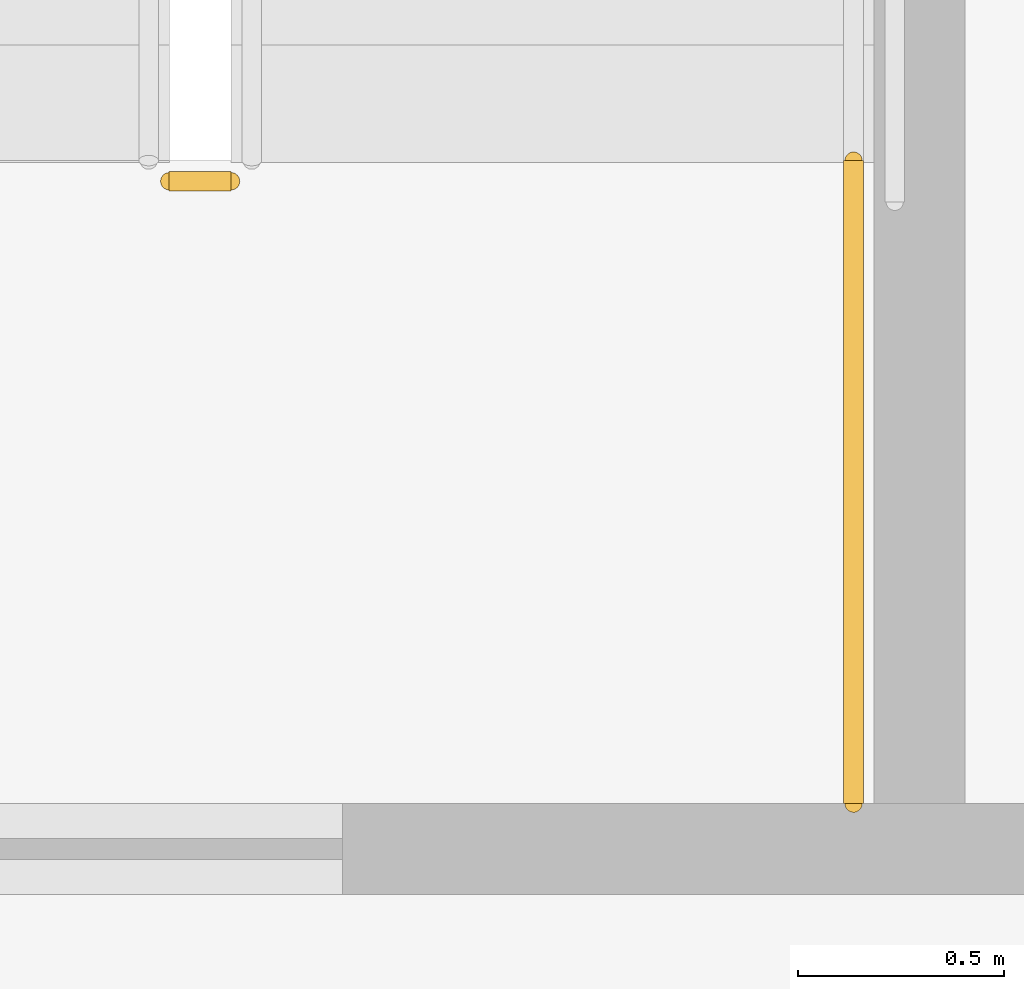
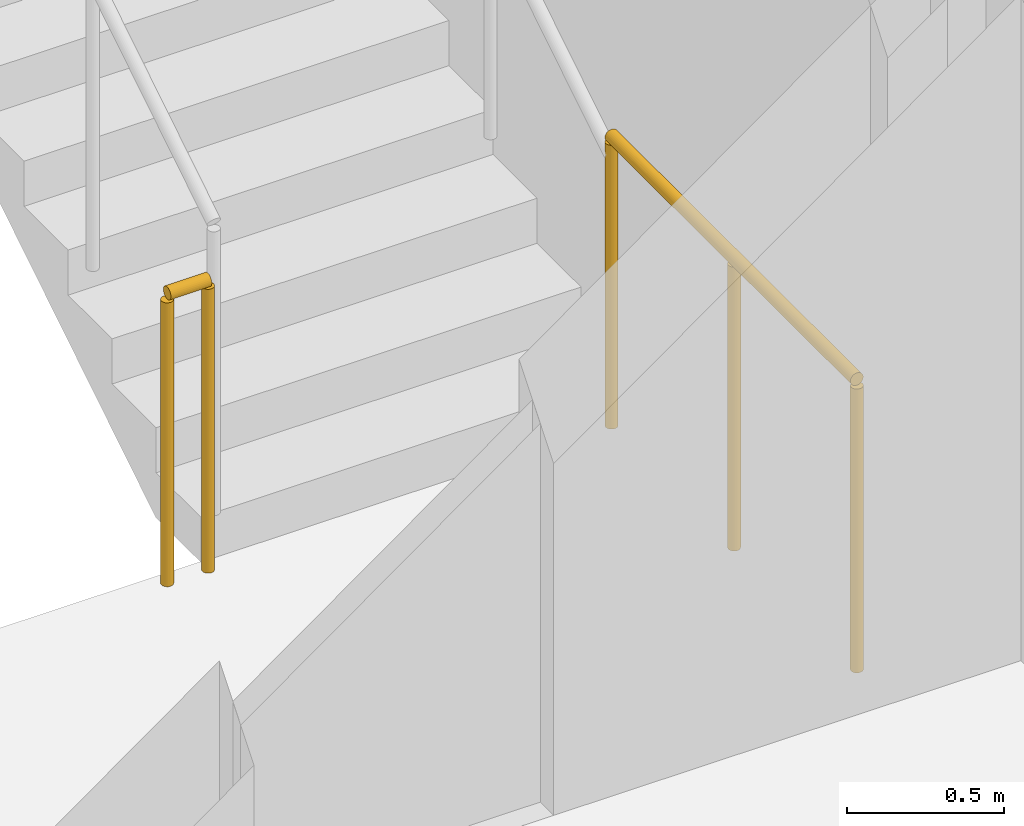
# One storey, part 12 of 15: 2 railings.
"""IFC4 building model written with IfcOpenShell, lengths in metres."""

from ifc_helpers import new_model, si_unit, direction, frame, origin, origin_2d, place, context, subcontext, project, spatial, circle, extrude, material, type_object, element, save


model = new_model("IFC4")

# Units and contexts
model_context = context("Model", 3, precision=1e-05, world=origin(), true_north=direction((0.0, 1.0)))
body_context = subcontext(model_context, "Body", "Model", "MODEL_VIEW")
ifc_project = project(units=[si_unit("LENGTHUNIT", "METRE"), si_unit("AREAUNIT", "SQUARE_METRE"), si_unit("VOLUMEUNIT", "CUBIC_METRE"), si_unit("PLANEANGLEUNIT", "RADIAN"), si_unit("MASSUNIT", "GRAM", prefix="KILO")], contexts=[model_context])

# Site, building, storey
site_placement = place(None, origin())
site = spatial("IfcSite", under=ifc_project, at=site_placement, CompositionType="ELEMENT")
building_placement = place(site_placement, origin())
building = spatial("IfcBuilding", under=site, at=building_placement, Name="Khairoan Windgate Tower", CompositionType="ELEMENT")
storey_placement = place(building_placement, frame((0.0, 0.0, 110.0)))
storey = spatial("IfcBuildingStorey", under=building, at=storey_placement, Name="L25", CompositionType="ELEMENT", Elevation=110.0)

# Railings
ifc_material = material(Name="Steel S355", Category="steel")
railing_type = type_object("IfcRailingType", Name="Stairwell Safety Guardrail SGR-1150", PredefinedType="GUARDRAIL", material=ifc_material)
railing_1_placement = place(storey_placement, frame((-17.7099609375, 2.909912109375, 0.0)))
element("IfcRailing", 1, at=railing_1_placement, inside=storey, type_object=railing_type, Name="L25 ST2 stair guard 7", PredefinedType="GUARDRAIL", context=body_context, shape_type="SweptSolid", body=[
    extrude(circle(Radius=0.02392578125, at=origin_2d()), frame((0.0, 0.0, 1.1259765625), z_axis=(-1.0, 0.0, 0.0), x_axis=(0.0, -1.0, 0.0)), (0.0, 0.0, 1.0), 0.150146484375),
    extrude(circle(Radius=0.02099609375, at=origin_2d()), origin(), (0.0, 0.0, 1.0), 1.101806640625),
    extrude(circle(Radius=0.02099609375, at=origin_2d()), frame((-0.150146484375, 0.0, 0.0)), (0.0, 0.0, 1.0), 1.101806640625),
])
railing_2_placement = place(storey_placement, frame((-16.199951171875, 1.39990234375, 0.0)))
element("IfcRailing", 2, at=railing_2_placement, inside=storey, type_object=railing_type, Name="L25 ST2 stair guard 8", PredefinedType="GUARDRAIL", context=body_context, shape_type="SweptSolid", body=[
    extrude(circle(Radius=0.02392578125, at=origin_2d()), frame((0.0, 0.0, 1.1259765625), z_axis=(0.0, 1.0, 0.0), x_axis=(-1.0, 0.0, 0.0)), (0.0, 0.0, 1.0), 1.56005859375),
    extrude(circle(Radius=0.02099609375, at=origin_2d()), origin(), (0.0, 0.0, 1.0), 1.101806640625),
    extrude(circle(Radius=0.02099609375, at=origin_2d()), frame((0.0, 0.780029296875, 0.0)), (0.0, 0.0, 1.0), 1.101806640625),
    extrude(circle(Radius=0.02099609375, at=origin_2d()), frame((0.0, 1.56005859375, 0.0)), (0.0, 0.0, 1.0), 1.101806640625),
])

save(model, "model.ifc")
